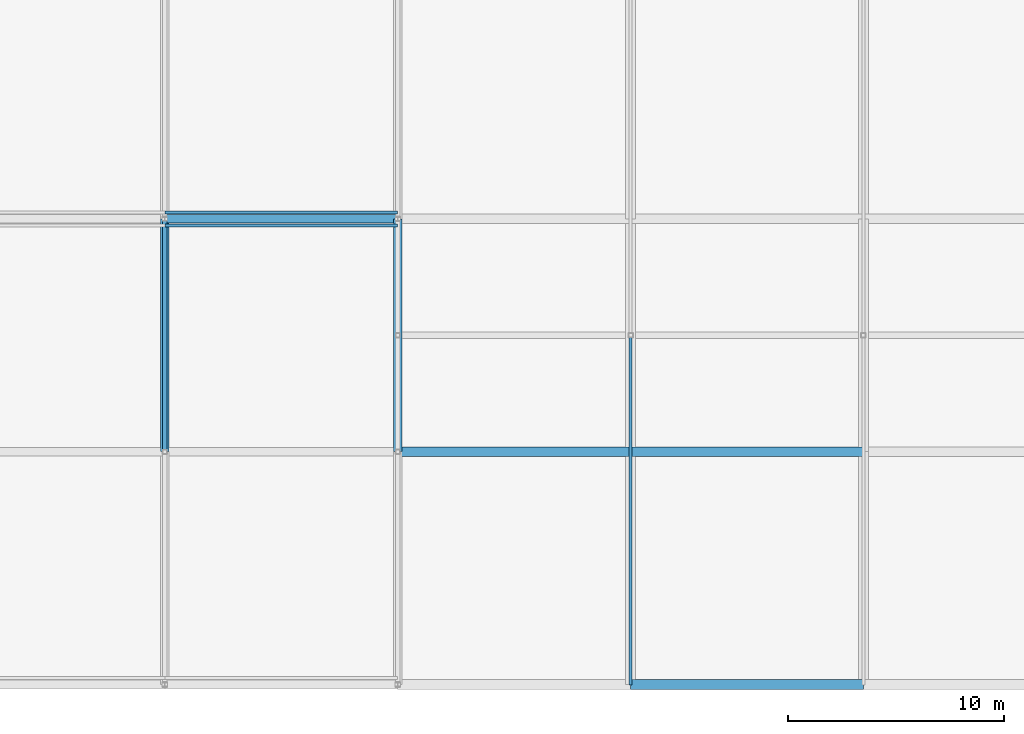
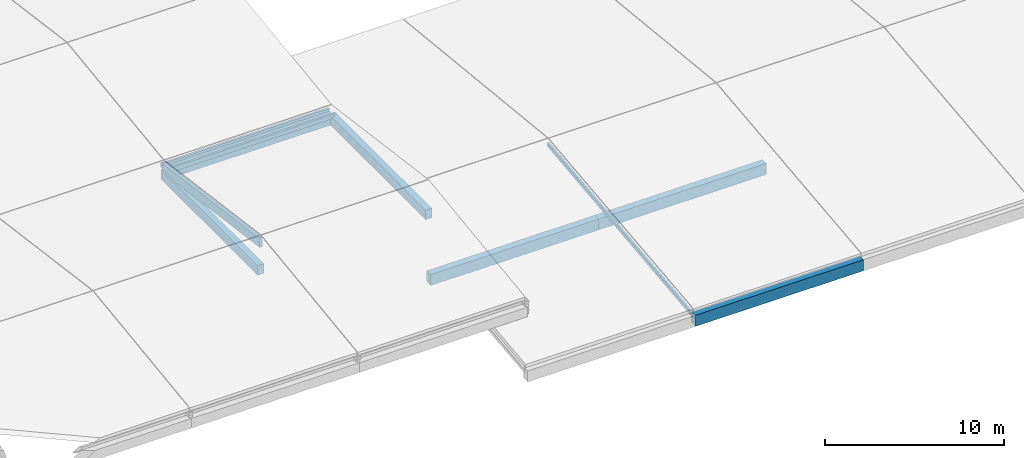
# One storey, part 53 of 112: 6 beams, 4 members.
"""IFC4 building model written with IfcOpenShell, lengths in metres."""

from ifc_helpers import new_model, si_unit, direction, frame, origin, origin_2d, place, context, subcontext, project, spatial, rectangle, hollow_rectangle, extrude, material, material_profile, profile_set, type_object, element, save


model = new_model("IFC4")

# Units and contexts
model_context = context("Model", 3, precision=1e-05, world=origin(), true_north=direction((0.0, 1.0)))
body_context = subcontext(model_context, "Body", "Model", "MODEL_VIEW")
ifc_project = project(units=[si_unit("LENGTHUNIT", "METRE"), si_unit("AREAUNIT", "SQUARE_METRE"), si_unit("VOLUMEUNIT", "CUBIC_METRE"), si_unit("PLANEANGLEUNIT", "RADIAN"), si_unit("MASSUNIT", "GRAM", prefix="KILO")], contexts=[model_context])

# Site, building, storey
site_placement = place(None, origin())
site = spatial("IfcSite", under=ifc_project, at=site_placement, CompositionType="ELEMENT")
building_placement = place(site_placement, origin())
building = spatial("IfcBuilding", under=site, at=building_placement, Name="Zwinboog Wholesale Market", CompositionType="ELEMENT")
storey_placement = place(building_placement, frame((0.0, 0.0, 19.080078125)))
storey = spatial("IfcBuildingStorey", under=building, at=storey_placement, Name="Roof", CompositionType="ELEMENT", Elevation=19.080078125)

# Beams
ifc_material_1 = material(Name="Precast concrete C45/55", Category="concrete")
ifc_material_profile_1 = material_profile(ifc_material_1, rectangle(XDim=0.449951171875, YDim=0.75, at=origin_2d()), Name="PC 450x750")
ifc_profile_set_1 = profile_set([ifc_material_profile_1], Name="Precast concrete C45/55")
beam_type_1 = type_object("IfcBeamType", Name="BT-04", PredefinedType="BEAM", material=ifc_profile_set_1)
beam_placement = place(storey_placement, frame((172.800048828125, 10.800048828125, -4.695068359375), z_axis=(1.0, 0.0, 0.0), x_axis=(0.0, 1.0, 0.0)))
element("IfcBeam", 1, at=beam_placement, inside=storey, type_object=beam_type_1, Name="BG-04 (BMG-Roof-1728-0108-1260)", PredefinedType="BEAM", context=body_context, shape_type="SweptSolid", body=[
    extrude(rectangle(XDim=0.449951171875, YDim=0.75, at=origin_2d()), origin(), (0.0, 0.0, 1.0), 10.800048828125),
])
for number, where, z_axis, x_axis, name in (
    (2, (183.60009765625, 0.0, -4.695068359375), (1.0, 0.0, 0.0), (0.0, 1.0, 0.0), "BG-04 (BMG-Roof-1836-0000-1263)"),
    (3, (183.60009765625, 10.800048828125, -4.695068359375), (1.0, 0.0, 0.0), (0.0, 1.0, 0.0), "BG-04 (BMG-Roof-1836-0108-1264)"),
):
    element("IfcBeam", number, at=place(storey_placement, frame(where, z_axis=z_axis, x_axis=x_axis)), inside=storey, type_object=beam_type_1, Name=name, PredefinedType="BEAM", context=body_context, shape_type="SweptSolid", body=[
        extrude(rectangle(XDim=0.449951171875, YDim=0.75, at=origin_2d()), origin(), (0.0, 0.0, 1.0), 10.7998046875),
    ])
ifc_material_profile_2 = material_profile(ifc_material_1, rectangle(XDim=0.39990234375, YDim=0.64990234375, at=origin_2d()), Name="PC 400x650")
ifc_profile_set_2 = profile_set([ifc_material_profile_2], Name="Precast concrete C45/55")
beam_type_2 = type_object("IfcBeamType", Name="BT-05", PredefinedType="BEAM", material=ifc_profile_set_2)
for number, where, z_axis, x_axis, name in (
    (4, (162.0, 21.60009765625, -0.3251953125), (1.0, 0.0, 0.0), (0.0, 1.0, 0.0), "BG-05 (BMG-Roof-1620-0216-1300)"),
    (5, (162.0, 10.800048828125, -0.3251953125), (0.0, 1.0, 0.0), (-1.0, 0.0, 0.0), "BG-05 (BMG-Roof-1620-0108-1312)"),
    (6, (172.800048828125, 10.800048828125, -0.3251953125), (0.0, 1.0, 0.0), (-1.0, 0.0, 0.0), "BG-05 (BMG-Roof-1728-0108-1316)"),
):
    element("IfcBeam", number, at=place(storey_placement, frame(where, z_axis=z_axis, x_axis=x_axis)), inside=storey, type_object=beam_type_2, Name=name, PredefinedType="BEAM", context=body_context, shape_type="SweptSolid", body=[
        extrude(rectangle(XDim=0.39990234375, YDim=0.64990234375, at=origin_2d()), origin(), (0.0, 0.0, 1.0), 10.800048828125),
    ])

# Members
ifc_material_2 = material(Name="Steel S355", Category="steel")
ifc_material_profile_3 = material_profile(ifc_material_2, hollow_rectangle(XDim=0.14990234375, YDim=0.25, WallThickness=0.010009765625, InnerFilletRadius=0.010009765625, OuterFilletRadius=0.02001953125, at=origin_2d()), Name="RHS 250x150x10")
ifc_profile_set_3 = profile_set([ifc_material_profile_3], Name="Steel S355")
member_type_1 = type_object("IfcMemberType", Name="MT-02", PredefinedType="CHORD", material=ifc_profile_set_3)
member_1_placement = place(storey_placement, frame((183.60009765625, 0.0, -4.469970703125), z_axis=(0.0, 0.993612545096, 0.11284551488), x_axis=(-1.0, 0.0, 0.0)))
element("IfcMember", 7, at=member_1_placement, inside=storey, type_object=member_type_1, Name="DC-02 (MEM-Roof-0888)", PredefinedType="CHORD", context=body_context, shape_type="SweptSolid", body=[
    extrude(hollow_rectangle(XDim=0.14990234375, YDim=0.25, WallThickness=0.010009765625, InnerFilletRadius=0.010009765625, OuterFilletRadius=0.02001953125, at=origin_2d()), origin(), (0.0, 0.0, 1.0), 16.30419921875),
])
ifc_material_3 = material(Name="Glulam GL28h", Category="wood")
ifc_material_profile_4 = material_profile(ifc_material_3, rectangle(XDim=0.199951171875, YDim=0.60009765625, at=origin_2d()), Name="GL28h 200x600")
ifc_profile_set_4 = profile_set([ifc_material_profile_4], Name="Glulam GL28h")
member_type_2 = type_object("IfcMemberType", Name="MT-11", PredefinedType="RAFTER", material=ifc_profile_set_4)
member_2_placement = place(storey_placement, frame((162.0, 10.800048828125, 1.52001953125), z_axis=(0.0, 0.99110498434, -0.133082342993), x_axis=(-1.0, 0.0, 0.0)))
element("IfcMember", 8, at=member_2_placement, inside=storey, type_object=member_type_2, Name="GR-03 (MEM-Roof-0921)", PredefinedType="RAFTER", context=body_context, shape_type="SweptSolid", body=[
    extrude(rectangle(XDim=0.199951171875, YDim=0.60009765625, at=origin_2d()), origin(), (0.0, 0.0, 1.0), 10.89697265625),
])
ifc_material_profile_5 = material_profile(ifc_material_3, rectangle(XDim=0.139892578125, YDim=0.280029296875, at=origin_2d()), Name="GL28h 140x280")
ifc_profile_set_5 = profile_set([ifc_material_profile_5], Name="Glulam GL28h")
member_type_3 = type_object("IfcMemberType", Name="MT-13", PredefinedType="PURLIN", material=ifc_profile_set_5)
for number, where, z_axis, x_axis, name in (
    (9, (162.0, 21.89990234375, 0.02001953125), (1.0, 0.0, 0.0), (0.0, 1.0, 0.0), "GP-02 (MEM-Roof-0941)"),
    (10, (162.0, 21.300048828125, 0.02001953125), (1.0, 0.0, 0.0), (0.0, 1.0, 0.0), "GP-02 (MEM-PRL-Roof-0052)"),
):
    element("IfcMember", number, at=place(storey_placement, frame(where, z_axis=z_axis, x_axis=x_axis)), inside=storey, type_object=member_type_3, Name=name, PredefinedType="PURLIN", context=body_context, shape_type="SweptSolid", body=[
        extrude(rectangle(XDim=0.139892578125, YDim=0.280029296875, at=origin_2d()), origin(), (0.0, 0.0, 1.0), 10.800048828125),
    ])

save(model, "model.ifc")
